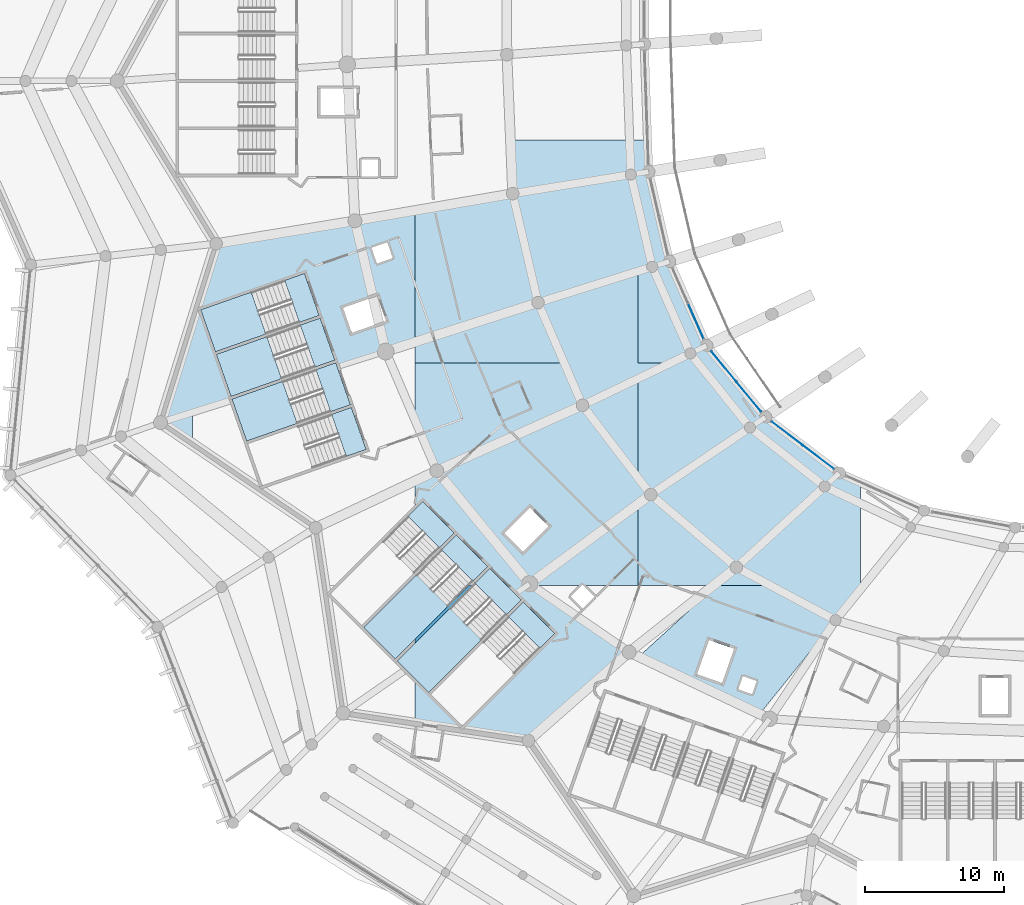
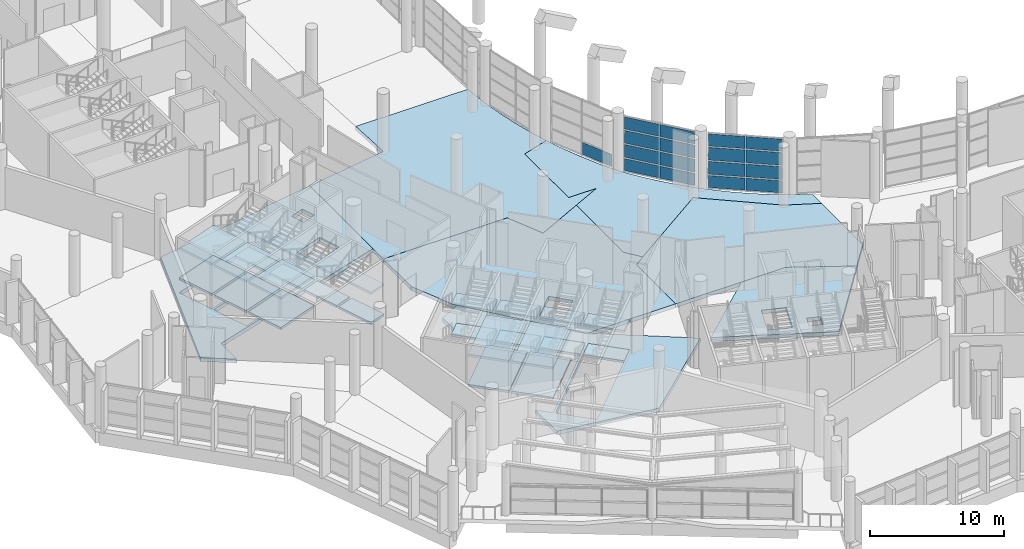
# One storey, part 116 of 271: 34 slabs, 17 plates, 11 elements without a shape of their own.
"""IFC4 building model written with IfcOpenShell, lengths in metres."""

from ifc_helpers import new_model, si_unit, direction, frame, origin, origin_2d, place, context, subcontext, project, spatial, polyline, rectangle, outline, extrude, material, layer, layer_set, type_object, element, aggregate, save


model = new_model("IFC4")

# Units and contexts
model_context = context("Model", 3, precision=1e-05, world=origin(), true_north=direction((0.0, 1.0)))
body_context = subcontext(model_context, "Body", "Model", "MODEL_VIEW")
ifc_project = project(units=[si_unit("LENGTHUNIT", "METRE"), si_unit("AREAUNIT", "SQUARE_METRE"), si_unit("VOLUMEUNIT", "CUBIC_METRE"), si_unit("PLANEANGLEUNIT", "RADIAN"), si_unit("MASSUNIT", "GRAM", prefix="KILO")], contexts=[model_context])

# Site, building, storey
site_placement = place(None, origin())
site = spatial("IfcSite", under=ifc_project, at=site_placement, CompositionType="ELEMENT")
building_placement = place(site_placement, origin())
building = spatial("IfcBuilding", under=site, at=building_placement, Name="Meseta Stadium", CompositionType="ELEMENT")
storey_placement = place(building_placement, frame((0.0, 0.0, 6.5)))
storey = spatial("IfcBuildingStorey", under=building, at=storey_placement, Name="L01", CompositionType="ELEMENT", Elevation=6.5)

# Curtain wall, plate
ifc_material_1 = material(Name="Aluminium", Category="aluminium")
ifc_layer_1 = layer(ifc_material_1, 0.199951171875)
ifc_layer_set_1 = layer_set([ifc_layer_1], Name="Club glazing curtain wall")
curtain_wall_type = type_object("IfcCurtainWallType", Name="Club glazing curtain wall", PredefinedType="NOTDEFINED", material=ifc_layer_set_1)
curtain_wall_1_placement = place(storey_placement, origin())
curtain_wall_1 = element("IfcCurtainWall", 1, at=curtain_wall_1_placement, inside=storey, type_object=curtain_wall_type, Name="Club glazing bay 38", PredefinedType="NOTDEFINED")
ifc_material_2 = material(Name="Glass", Category="glass")
ifc_layer_2 = layer(ifc_material_2, 0.028076171875)
ifc_layer_set_2 = layer_set([ifc_layer_2], Name="CW glass panel 28")
plate_type = type_object("IfcPlateType", Name="CW glass panel 28", PredefinedType="CURTAIN_PANEL", material=ifc_layer_set_2)
plate_1_placement = place(storey_placement, frame((-59.820068359375, -61.021484375, 0.1201171875), z_axis=(0.0, 0.0, 1.0), x_axis=(0.404230353712, -0.914657215102, 0.0)))
plate_1 = element("IfcPlate", 2, at=plate_1_placement, type_object=plate_type, Name="CWC panel 2.1", PredefinedType="CURTAIN_PANEL", context=body_context, shape_type="SweptSolid", body=[
    extrude(rectangle(XDim=2.737060546875, YDim=0.028076171875, at=origin_2d()), origin(), (0.0, 0.0, 1.0), 1.107421875),
])
aggregate(curtain_wall_1, [plate_1])

# Curtain wall, plates
curtain_wall_2_placement = place(storey_placement, origin())
curtain_wall_2 = element("IfcCurtainWall", 3, at=curtain_wall_2_placement, inside=storey, type_object=curtain_wall_type, Name="Club glazing bay 39", PredefinedType="NOTDEFINED")
plate_2_placement = place(storey_placement, frame((-57.818359375, -64.260498046875, 0.1201171875), z_axis=(0.0, 0.0, 1.0), x_axis=(0.63574102663, -0.771902420685, 0.0)))
plate_2 = element("IfcPlate", 4, at=plate_2_placement, type_object=plate_type, Name="CWC panel 1.1", PredefinedType="CURTAIN_PANEL", context=body_context, shape_type="SweptSolid", body=[
    extrude(rectangle(XDim=2.7646484375, YDim=0.028076171875, at=origin_2d()), origin(), (0.0, 0.0, 1.0), 1.107421875),
])
plate_3_placement = place(storey_placement, frame((-57.818359375, -64.260498046875, 1.347412109375), z_axis=(0.0, 0.0, 1.0), x_axis=(0.63574102663, -0.771902420685, 0.0)))
plate_3 = element("IfcPlate", 5, at=plate_3_placement, type_object=plate_type, Name="CWC panel 1.2", PredefinedType="CURTAIN_PANEL", context=body_context, shape_type="SweptSolid", body=[
    extrude(rectangle(XDim=2.7646484375, YDim=0.028076171875, at=origin_2d()), origin(), (0.0, 0.0, 1.0), 1.16748046875),
])
plate_4_placement = place(storey_placement, frame((-57.818359375, -64.260498046875, 2.635009765625), z_axis=(0.0, 0.0, 1.0), x_axis=(0.63574102663, -0.771902420685, 0.0)))
plate_4 = element("IfcPlate", 6, at=plate_4_placement, type_object=plate_type, Name="CWC panel 1.3", PredefinedType="CURTAIN_PANEL", context=body_context, shape_type="SweptSolid", body=[
    extrude(rectangle(XDim=2.7646484375, YDim=0.028076171875, at=origin_2d()), origin(), (0.0, 0.0, 1.0), 1.16748046875),
])
plate_5_placement = place(storey_placement, frame((-57.818359375, -64.260498046875, 3.922607421875), z_axis=(0.0, 0.0, 1.0), x_axis=(0.63574102663, -0.771902420685, 0.0)))
plate_5 = element("IfcPlate", 7, at=plate_5_placement, type_object=plate_type, Name="CWC panel 1.4", PredefinedType="CURTAIN_PANEL", context=body_context, shape_type="SweptSolid", body=[
    extrude(rectangle(XDim=2.7646484375, YDim=0.028076171875, at=origin_2d()), origin(), (0.0, 0.0, 1.0), 1.107421875),
])
plate_6_placement = place(storey_placement, frame((-56.022705078125, -66.44091796875, 0.1201171875), z_axis=(0.0, 0.0, 1.0), x_axis=(0.63574102663, -0.771902420685, 0.0)))
plate_6 = element("IfcPlate", 8, at=plate_6_placement, type_object=plate_type, Name="CWC panel 2.1", PredefinedType="CURTAIN_PANEL", context=body_context, shape_type="SweptSolid", body=[
    extrude(rectangle(XDim=2.7646484375, YDim=0.028076171875, at=origin_2d()), origin(), (0.0, 0.0, 1.0), 1.107421875),
])
plate_7_placement = place(storey_placement, frame((-56.022705078125, -66.44091796875, 1.347412109375), z_axis=(0.0, 0.0, 1.0), x_axis=(0.63574102663, -0.771902420685, 0.0)))
plate_7 = element("IfcPlate", 9, at=plate_7_placement, type_object=plate_type, Name="CWC panel 2.2", PredefinedType="CURTAIN_PANEL", context=body_context, shape_type="SweptSolid", body=[
    extrude(rectangle(XDim=2.7646484375, YDim=0.028076171875, at=origin_2d()), origin(), (0.0, 0.0, 1.0), 1.16748046875),
])
plate_8_placement = place(storey_placement, frame((-56.022705078125, -66.44091796875, 2.635009765625), z_axis=(0.0, 0.0, 1.0), x_axis=(0.63574102663, -0.771902420685, 0.0)))
plate_8 = element("IfcPlate", 10, at=plate_8_placement, type_object=plate_type, Name="CWC panel 2.3", PredefinedType="CURTAIN_PANEL", context=body_context, shape_type="SweptSolid", body=[
    extrude(rectangle(XDim=2.7646484375, YDim=0.028076171875, at=origin_2d()), origin(), (0.0, 0.0, 1.0), 1.16748046875),
])
plate_9_placement = place(storey_placement, frame((-56.022705078125, -66.44091796875, 3.922607421875), z_axis=(0.0, 0.0, 1.0), x_axis=(0.63574102663, -0.771902420685, 0.0)))
plate_9 = element("IfcPlate", 11, at=plate_9_placement, type_object=plate_type, Name="CWC panel 2.4", PredefinedType="CURTAIN_PANEL", context=body_context, shape_type="SweptSolid", body=[
    extrude(rectangle(XDim=2.7646484375, YDim=0.028076171875, at=origin_2d()), origin(), (0.0, 0.0, 1.0), 1.107421875),
])
aggregate(curtain_wall_2, [plate_2, plate_3, plate_4, plate_5, plate_6, plate_7, plate_8, plate_9])

curtain_wall_3_placement = place(storey_placement, origin())
curtain_wall_3 = element("IfcCurtainWall", 12, at=curtain_wall_3_placement, inside=storey, type_object=curtain_wall_type, Name="Club glazing bay 40", PredefinedType="NOTDEFINED")
plate_10_placement = place(storey_placement, frame((-53.26953125, -69.077880859375, 0.1201171875), z_axis=(0.0, 0.0, 1.0), x_axis=(0.796590021375, -0.604519923448, 0.0)))
plate_10 = element("IfcPlate", 13, at=plate_10_placement, type_object=plate_type, Name="CWC panel 1.1", PredefinedType="CURTAIN_PANEL", context=body_context, shape_type="SweptSolid", body=[
    extrude(rectangle(XDim=2.759765625, YDim=0.028076171875, at=origin_2d()), origin(), (0.0, 0.0, 1.0), 1.107421875),
])
plate_11_placement = place(storey_placement, frame((-53.26953125, -69.077880859375, 1.347412109375), z_axis=(0.0, 0.0, 1.0), x_axis=(0.796590021375, -0.604519923448, 0.0)))
plate_11 = element("IfcPlate", 14, at=plate_11_placement, type_object=plate_type, Name="CWC panel 1.2", PredefinedType="CURTAIN_PANEL", context=body_context, shape_type="SweptSolid", body=[
    extrude(rectangle(XDim=2.759765625, YDim=0.028076171875, at=origin_2d()), origin(), (0.0, 0.0, 1.0), 1.16748046875),
])
plate_12_placement = place(storey_placement, frame((-53.26953125, -69.077880859375, 2.635009765625), z_axis=(0.0, 0.0, 1.0), x_axis=(0.796590021375, -0.604519923448, 0.0)))
plate_12 = element("IfcPlate", 15, at=plate_12_placement, type_object=plate_type, Name="CWC panel 1.3", PredefinedType="CURTAIN_PANEL", context=body_context, shape_type="SweptSolid", body=[
    extrude(rectangle(XDim=2.759765625, YDim=0.028076171875, at=origin_2d()), origin(), (0.0, 0.0, 1.0), 1.16748046875),
])
plate_13_placement = place(storey_placement, frame((-53.26953125, -69.077880859375, 3.922607421875), z_axis=(0.0, 0.0, 1.0), x_axis=(0.796590021375, -0.604519923448, 0.0)))
plate_13 = element("IfcPlate", 16, at=plate_13_placement, type_object=plate_type, Name="CWC panel 1.4", PredefinedType="CURTAIN_PANEL", context=body_context, shape_type="SweptSolid", body=[
    extrude(rectangle(XDim=2.759765625, YDim=0.028076171875, at=origin_2d()), origin(), (0.0, 0.0, 1.0), 1.107421875),
])
plate_14_placement = place(storey_placement, frame((-51.0234375, -70.782470703125, 0.1201171875), z_axis=(0.0, 0.0, 1.0), x_axis=(0.796590021375, -0.604519923448, 0.0)))
plate_14 = element("IfcPlate", 17, at=plate_14_placement, type_object=plate_type, Name="CWC panel 2.1", PredefinedType="CURTAIN_PANEL", context=body_context, shape_type="SweptSolid", body=[
    extrude(rectangle(XDim=2.759765625, YDim=0.028076171875, at=origin_2d()), origin(), (0.0, 0.0, 1.0), 1.107421875),
])
plate_15_placement = place(storey_placement, frame((-51.0234375, -70.782470703125, 1.347412109375), z_axis=(0.0, 0.0, 1.0), x_axis=(0.796590021375, -0.604519923448, 0.0)))
plate_15 = element("IfcPlate", 18, at=plate_15_placement, type_object=plate_type, Name="CWC panel 2.2", PredefinedType="CURTAIN_PANEL", context=body_context, shape_type="SweptSolid", body=[
    extrude(rectangle(XDim=2.759765625, YDim=0.028076171875, at=origin_2d()), origin(), (0.0, 0.0, 1.0), 1.16748046875),
])
plate_16_placement = place(storey_placement, frame((-51.0234375, -70.782470703125, 2.635009765625), z_axis=(0.0, 0.0, 1.0), x_axis=(0.796590021375, -0.604519923448, 0.0)))
plate_16 = element("IfcPlate", 19, at=plate_16_placement, type_object=plate_type, Name="CWC panel 2.3", PredefinedType="CURTAIN_PANEL", context=body_context, shape_type="SweptSolid", body=[
    extrude(rectangle(XDim=2.759765625, YDim=0.028076171875, at=origin_2d()), origin(), (0.0, 0.0, 1.0), 1.16748046875),
])
plate_17_placement = place(storey_placement, frame((-51.0234375, -70.782470703125, 3.922607421875), z_axis=(0.0, 0.0, 1.0), x_axis=(0.796590021375, -0.604519923448, 0.0)))
plate_17 = element("IfcPlate", 20, at=plate_17_placement, type_object=plate_type, Name="CWC panel 2.4", PredefinedType="CURTAIN_PANEL", context=body_context, shape_type="SweptSolid", body=[
    extrude(rectangle(XDim=2.759765625, YDim=0.028076171875, at=origin_2d()), origin(), (0.0, 0.0, 1.0), 1.107421875),
])
aggregate(curtain_wall_3, [plate_10, plate_11, plate_12, plate_13, plate_14, plate_15, plate_16, plate_17])

# Slabs
ifc_material_3 = material(Name="Concrete C40/50", Category="concrete")
ifc_layer_3 = layer(ifc_material_3, 0.35009765625)
ifc_layer_set_3 = layer_set([ifc_layer_3], Name="Floor slab 350")
slab_type_1 = type_object("IfcSlabType", Name="Floor slab 350", PredefinedType="FLOOR", material=ifc_layer_set_3)
slab_1_placement = place(storey_placement, frame((0.0, 0.0, -0.35009765625)))
element("IfcSlab", 21, at=slab_1_placement, inside=storey, type_object=slab_type_1, Name="Floor slab L01 sector 35 panel 03", PredefinedType="FLOOR", context=body_context, shape_type="SweptSolid", body=[
    extrude(outline(polyline([(-85.63037109375, -64.211181640625), (-80.0, -62.44580078125), (-80.0, -52.975830078125), (-84.33154296875, -53.67333984375), (-84.3251953125, -53.801513671875), (-94.29443359375, -55.44140625), (-98.291015625, -68.297607421875), (-96.0, -69.85205078125), (-96.0, -67.46240234375), (-92.1708984375, -66.26171875), (-85.70458984375, -63.9990234375), (-85.63037109375, -64.211181640625)]), holes=[polyline([(-82.723876953125, -59.195068359375), (-82.09619140625, -60.988525390625), (-84.55029296875, -61.84716796875), (-85.177978515625, -60.0537109375), (-82.723876953125, -59.195068359375)]), polyline([(-94.2841796875, -63.399169921875), (-86.827392578125, -60.789794921875), (-85.7705078125, -63.810302734375), (-93.227294921875, -66.419677734375), (-94.2841796875, -63.399169921875)]), polyline([(-95.406982421875, -60.18994140625), (-87.950439453125, -57.580810546875), (-86.8935546875, -60.601318359375), (-94.35009765625, -63.21044921875), (-95.406982421875, -60.18994140625)]), polyline([(-82.74267578125, -56.870849609375), (-83.138916015625, -55.73828125), (-82.006103515625, -55.341796875), (-81.60986328125, -56.474609375), (-82.74267578125, -56.870849609375)])]), origin(), (0.0, 0.0, 1.0), 0.35009765625),
])
slab_2_placement = place(storey_placement, frame((0.0, 0.0, -0.35009765625)))
element("IfcSlab", 22, at=slab_2_placement, inside=storey, type_object=slab_type_1, Name="Floor slab L01 sector 35 panel 08", PredefinedType="FLOOR", context=body_context, shape_type="SweptSolid", body=[
    extrude(outline(polyline([(-80.0, -83.858642578125), (-80.0, -84.141357421875), (-75.858642578125, -80.0), (-76.141357421875, -80.0), (-80.0, -83.858642578125)])), origin(), (0.0, 0.0, 1.0), 0.35009765625),
])
slab_3_placement = place(storey_placement, frame((0.0, 0.0, -0.35009765625)))
element("IfcSlab", 23, at=slab_3_placement, inside=storey, type_object=slab_type_1, Name="Floor slab L01 sector 35 panel 09", PredefinedType="FLOOR", context=body_context, shape_type="SweptSolid", body=[
    extrude(outline(polyline([(-74.779296875, -78.6376953125), (-76.141357421875, -80.0), (-75.858642578125, -80.0), (-74.6376953125, -78.779296875), (-72.375, -81.0419921875), (-79.02197265625, -87.688720703125), (-80.0, -86.710693359375), (-80.0, -89.94189453125), (-71.856689453125, -91.15087890625), (-64.6220703125, -84.79248046875), (-71.775390625, -79.888916015625), (-78.246337890625, -71.998779296875), (-80.0, -72.84228515625), (-80.0, -74.524658203125), (-79.4462890625, -73.970947265625), (-77.183349609375, -76.233642578125), (-80.0, -79.05029296875), (-80.0, -79.3330078125), (-77.0419921875, -76.375), (-74.779296875, -78.6376953125)]), holes=[polyline([(-78.880615234375, -87.830078125), (-72.233642578125, -81.183349609375), (-69.970947265625, -83.4462890625), (-76.61767578125, -90.093017578125), (-78.880615234375, -87.830078125)])]), origin(), (0.0, 0.0, 1.0), 0.35009765625),
])
slab_4_placement = place(storey_placement, frame((0.0, 0.0, -0.35009765625)))
element("IfcSlab", 24, at=slab_4_placement, inside=storey, type_object=slab_type_1, Name="Floor slab L01 sector 35 panel 10", PredefinedType="FLOOR", context=body_context, shape_type="SweptSolid", body=[
    extrude(outline(polyline([(-64.0, -65.1474609375), (-67.972412109375, -67.057861328125), (-69.297119140625, -64.0), (-80.0, -64.0), (-80.0, -68.13232421875), (-78.4453125, -71.756103515625), (-71.775390625, -79.888916015625), (-71.61328125, -80.0), (-68.009765625, -80.0), (-67.963134765625, -79.953369140625), (-67.91650390625, -80.0), (-64.0, -80.0), (-64.0, -74.15673828125), (-63.068115234375, -73.469970703125), (-64.0, -72.251708984375), (-64.0, -65.1474609375)]), holes=[polyline([(-73.584716796875, -76.2412109375), (-71.74609375, -74.402587890625), (-70.402587890625, -75.74609375), (-72.2412109375, -77.584716796875), (-73.584716796875, -76.2412109375)])]), origin(), (0.0, 0.0, 1.0), 0.35009765625),
])
slab_5_placement = place(storey_placement, frame((0.0, 0.0, -0.35009765625)))
element("IfcSlab", 25, at=slab_5_placement, inside=storey, type_object=slab_type_1, Name="Floor slab L01 sector 35 panel 11", PredefinedType="FLOOR", context=body_context, shape_type="SweptSolid", body=[
    extrude(outline(polyline([(-62.61962890625, -53.52880859375), (-62.8525390625, -52.449951171875), (-63.052001953125, -51.3642578125), (-63.21826171875, -50.27294921875), (-63.3505859375, -49.177001953125), (-63.448974609375, -48.077392578125), (-63.45361328125, -48.0), (-73.151123046875, -48.0), (-72.9921875, -51.84716796875), (-80.0, -52.975830078125), (-80.0, -64.0), (-69.297119140625, -64.0), (-67.972412109375, -67.057861328125), (-61.6142578125, -64.0), (-64.0, -64.0), (-64.0, -57.42919921875), (-61.72314453125, -56.715576171875), (-62.0546875, -55.66259765625), (-62.353515625, -54.60009765625), (-62.61962890625, -53.52880859375)])), origin(), (0.0, 0.0, 1.0), 0.35009765625),
])
slab_6_placement = place(storey_placement, frame((0.0, 0.0, -0.35009765625)))
element("IfcSlab", 26, at=slab_6_placement, inside=storey, type_object=slab_type_1, Name="Floor slab L01 sector 35 panel 16", PredefinedType="FLOOR", context=body_context, shape_type="SweptSolid", body=[
    extrude(outline(polyline([(-55.60595703125, -67.1162109375), (-56.361083984375, -66.30078125), (-57.083984375, -65.456787109375), (-57.773681640625, -64.585693359375), (-58.428955078125, -63.688232421875), (-59.049072265625, -62.766357421875), (-59.587890625, -61.80078125), (-60.077392578125, -60.810791015625), (-60.535888671875, -59.80615234375), (-60.96337890625, -58.7880859375), (-61.359375, -57.7578125), (-61.72314453125, -56.715576171875), (-64.0, -57.42919921875), (-64.0, -64.0), (-61.614013671875, -64.0), (-64.0, -65.1474609375), (-64.0, -72.251708984375), (-63.068115234375, -73.469970703125), (-55.940185546875, -68.658203125), (-50.571533203125, -72.888916015625), (-48.0, -74.1025390625), (-48.0, -72.753173828125), (-48.5498046875, -72.470703125), (-49.518310546875, -71.924560546875), (-50.46484375, -71.34130859375), (-51.387939453125, -70.721923828125), (-52.286376953125, -70.0673828125), (-53.15869140625, -69.37841796875), (-54.00341796875, -68.656005859375), (-54.819580078125, -67.901611328125), (-55.60595703125, -67.1162109375)])), origin(), (0.0, 0.0, 1.0), 0.35009765625),
])
slab_7_placement = place(storey_placement, frame((0.0, 0.0, -0.35009765625)))
element("IfcSlab", 27, at=slab_7_placement, inside=storey, type_object=slab_type_1, Name="Floor slab L01 sector 35 panel 17", PredefinedType="FLOOR", context=body_context, shape_type="SweptSolid", body=[
    extrude(outline(polyline([(-63.932373046875, -85.119384765625), (-55.242919921875, -89.238037109375), (-49.800048828125, -82.493896484375), (-54.4716796875, -80.0), (-58.33984375, -80.0), (-63.932373046875, -85.119384765625)]), holes=[polyline([(-58.876953125, -83.924072265625), (-57.08349609375, -84.551513671875), (-57.9423828125, -87.005615234375), (-59.735595703125, -86.378173828125), (-58.876953125, -83.924072265625)]), polyline([(-56.44873046875, -86.521728515625), (-55.45751953125, -86.86865234375), (-55.787841796875, -87.8125), (-56.779052734375, -87.4658203125), (-56.44873046875, -86.521728515625)])]), origin(), (0.0, 0.0, 1.0), 0.35009765625),
])
slab_8_placement = place(storey_placement, frame((0.0, 0.0, -0.35009765625)))
element("IfcSlab", 28, at=slab_8_placement, inside=storey, type_object=slab_type_1, Name="Floor slab L01 sector 35 panel 18", PredefinedType="FLOOR", context=body_context, shape_type="SweptSolid", body=[
    extrude(outline(polyline([(-49.800048828125, -82.493896484375), (-47.787353515625, -80.0), (-48.0, -80.0), (-48.0, -74.1025390625), (-50.571533203125, -72.888916015625), (-55.940185546875, -68.658203125), (-63.068115234375, -73.469970703125), (-64.0, -74.15673828125), (-64.0, -80.0), (-54.4716796875, -80.0), (-49.800048828125, -82.493896484375)])), origin(), (0.0, 0.0, 1.0), 0.35009765625),
])

# Stair, slabs
ifc_material_4 = material(Name="Concrete C40/50", Category="concrete")
stair_type = type_object("IfcStairType", Name="Exit stair 4 flights 153 mm risers", PredefinedType="HALF_TURN_STAIR", material=ifc_material_4)
stair_1_placement = place(storey_placement, origin())
stair_1 = element("IfcStair", 29, at=stair_1_placement, inside=storey, type_object=stair_type, Name="ST77 L01", PredefinedType="HALF_TURN_STAIR")
ifc_material_5 = material(Name="Concrete C40/50", Category="concrete")
ifc_layer_4 = layer(ifc_material_5, 0.199951171875)
ifc_layer_set_4 = layer_set([ifc_layer_4], Name="Stair landing 200")
slab_type_2 = type_object("IfcSlabType", Name="Stair landing 200", PredefinedType="LANDING", material=ifc_layer_set_4)
slab_9_placement = place(storey_placement, frame((0.0, 0.0, 1.175048828125)))
slab_9 = element("IfcSlab", 30, at=slab_9_placement, type_object=slab_type_2, Name="ST77 L01 landing 1", PredefinedType="LANDING", context=body_context, shape_type="SweptSolid", body=[
    extrude(outline(polyline([(-91.773193359375, -58.91845703125), (-95.406982421875, -60.18994140625), (-94.35009765625, -63.21044921875), (-90.71630859375, -61.938720703125), (-91.773193359375, -58.91845703125)])), origin(), (0.0, 0.0, 1.0), 0.199951171875),
])
slab_10_placement = place(storey_placement, frame((0.0, 0.0, 2.550048828125)))
slab_10 = element("IfcSlab", 31, at=slab_10_placement, type_object=slab_type_2, Name="ST77 L01 landing 2", PredefinedType="LANDING", context=body_context, shape_type="SweptSolid", body=[
    extrude(outline(polyline([(-87.950439453125, -57.580810546875), (-89.375732421875, -58.079345703125), (-88.31884765625, -61.099853515625), (-86.8935546875, -60.60107421875), (-87.950439453125, -57.580810546875)])), origin(), (0.0, 0.0, 1.0), 0.199951171875),
])
slab_11_placement = place(storey_placement, frame((0.0, 0.0, 3.925048828125)))
slab_11 = element("IfcSlab", 32, at=slab_11_placement, type_object=slab_type_2, Name="ST77 L01 landing 3", PredefinedType="LANDING", context=body_context, shape_type="SweptSolid", body=[
    extrude(outline(polyline([(-91.773193359375, -58.91845703125), (-95.406982421875, -60.18994140625), (-94.35009765625, -63.21044921875), (-90.71630859375, -61.938720703125), (-91.773193359375, -58.91845703125)])), origin(), (0.0, 0.0, 1.0), 0.199951171875),
])
slab_12_placement = place(storey_placement, frame((0.0, 0.0, -0.199951171875)))
slab_12 = element("IfcSlab", 33, at=slab_12_placement, type_object=slab_type_2, Name="ST77 L01 landing 4", PredefinedType="LANDING", context=body_context, shape_type="SweptSolid", body=[
    extrude(outline(polyline([(-87.950439453125, -57.580810546875), (-89.375732421875, -58.079345703125), (-88.31884765625, -61.099853515625), (-86.8935546875, -60.60107421875), (-87.950439453125, -57.580810546875)])), origin(), (0.0, 0.0, 1.0), 0.199951171875),
])
aggregate(stair_1, [slab_9, slab_10, slab_11, slab_12])

stair_2_placement = place(storey_placement, origin())
stair_2 = element("IfcStair", 34, at=stair_2_placement, inside=storey, type_object=stair_type, Name="ST78 L01", PredefinedType="HALF_TURN_STAIR")
slab_13_placement = place(storey_placement, frame((0.0, 0.0, 1.175048828125)))
slab_13 = element("IfcSlab", 35, at=slab_13_placement, type_object=slab_type_2, Name="ST78 L01 landing 1", PredefinedType="LANDING", context=body_context, shape_type="SweptSolid", body=[
    extrude(outline(polyline([(-90.650146484375, -62.127685546875), (-94.2841796875, -63.399169921875), (-93.227294921875, -66.419677734375), (-89.59326171875, -65.14794921875), (-90.650146484375, -62.127685546875)])), origin(), (0.0, 0.0, 1.0), 0.199951171875),
])
slab_14_placement = place(storey_placement, frame((0.0, 0.0, 2.550048828125)))
slab_14 = element("IfcSlab", 36, at=slab_14_placement, type_object=slab_type_2, Name="ST78 L01 landing 2", PredefinedType="LANDING", context=body_context, shape_type="SweptSolid", body=[
    extrude(outline(polyline([(-86.827392578125, -60.7900390625), (-88.252685546875, -61.28857421875), (-87.19580078125, -64.30908203125), (-85.7705078125, -63.810302734375), (-86.827392578125, -60.7900390625)])), origin(), (0.0, 0.0, 1.0), 0.199951171875),
])
slab_15_placement = place(storey_placement, frame((0.0, 0.0, 3.925048828125)))
slab_15 = element("IfcSlab", 37, at=slab_15_placement, type_object=slab_type_2, Name="ST78 L01 landing 3", PredefinedType="LANDING", context=body_context, shape_type="SweptSolid", body=[
    extrude(outline(polyline([(-90.650146484375, -62.127685546875), (-94.2841796875, -63.399169921875), (-93.227294921875, -66.419677734375), (-89.59326171875, -65.14794921875), (-90.650146484375, -62.127685546875)])), origin(), (0.0, 0.0, 1.0), 0.199951171875),
])
slab_16_placement = place(storey_placement, frame((0.0, 0.0, -0.199951171875)))
slab_16 = element("IfcSlab", 38, at=slab_16_placement, type_object=slab_type_2, Name="ST78 L01 landing 4", PredefinedType="LANDING", context=body_context, shape_type="SweptSolid", body=[
    extrude(outline(polyline([(-86.827392578125, -60.7900390625), (-88.252685546875, -61.28857421875), (-87.19580078125, -64.30908203125), (-85.7705078125, -63.810302734375), (-86.827392578125, -60.7900390625)])), origin(), (0.0, 0.0, 1.0), 0.199951171875),
])
aggregate(stair_2, [slab_13, slab_14, slab_15, slab_16])

stair_3_placement = place(storey_placement, origin())
stair_3 = element("IfcStair", 39, at=stair_3_placement, inside=storey, type_object=stair_type, Name="ST79 L01", PredefinedType="HALF_TURN_STAIR")
slab_17_placement = place(storey_placement, frame((0.0, 0.0, 1.175048828125)))
slab_17 = element("IfcSlab", 40, at=slab_17_placement, type_object=slab_type_2, Name="ST79 L01 landing 1", PredefinedType="LANDING", context=body_context, shape_type="SweptSolid", body=[
    extrude(outline(polyline([(-89.527099609375, -65.336669921875), (-93.1611328125, -66.6083984375), (-92.104248046875, -69.628662109375), (-88.47021484375, -68.357177734375), (-89.527099609375, -65.336669921875)])), origin(), (0.0, 0.0, 1.0), 0.199951171875),
])
slab_18_placement = place(storey_placement, frame((0.0, 0.0, 2.550048828125)))
slab_18 = element("IfcSlab", 41, at=slab_18_placement, type_object=slab_type_2, Name="ST79 L01 landing 2", PredefinedType="LANDING", context=body_context, shape_type="SweptSolid", body=[
    extrude(outline(polyline([(-85.704345703125, -63.9990234375), (-87.129638671875, -64.497802734375), (-86.07275390625, -67.518310546875), (-84.6474609375, -67.01953125), (-85.704345703125, -63.9990234375)])), origin(), (0.0, 0.0, 1.0), 0.199951171875),
])
slab_19_placement = place(storey_placement, frame((0.0, 0.0, 3.925048828125)))
slab_19 = element("IfcSlab", 42, at=slab_19_placement, type_object=slab_type_2, Name="ST79 L01 landing 3", PredefinedType="LANDING", context=body_context, shape_type="SweptSolid", body=[
    extrude(outline(polyline([(-89.527099609375, -65.336669921875), (-93.1611328125, -66.6083984375), (-92.104248046875, -69.628662109375), (-88.47021484375, -68.357177734375), (-89.527099609375, -65.336669921875)])), origin(), (0.0, 0.0, 1.0), 0.199951171875),
])
slab_20_placement = place(storey_placement, frame((0.0, 0.0, -0.199951171875)))
slab_20 = element("IfcSlab", 43, at=slab_20_placement, type_object=slab_type_2, Name="ST79 L01 landing 4", PredefinedType="LANDING", context=body_context, shape_type="SweptSolid", body=[
    extrude(outline(polyline([(-85.704345703125, -63.9990234375), (-87.129638671875, -64.497802734375), (-86.07275390625, -67.518310546875), (-84.6474609375, -67.01953125), (-85.704345703125, -63.9990234375)])), origin(), (0.0, 0.0, 1.0), 0.199951171875),
])
aggregate(stair_3, [slab_17, slab_18, slab_19, slab_20])

stair_4_placement = place(storey_placement, origin())
stair_4 = element("IfcStair", 44, at=stair_4_placement, inside=storey, type_object=stair_type, Name="ST80 L01", PredefinedType="HALF_TURN_STAIR")
slab_21_placement = place(storey_placement, frame((0.0, 0.0, 2.550048828125)))
slab_21 = element("IfcSlab", 45, at=slab_21_placement, type_object=slab_type_2, Name="ST80 L01 landing 2", PredefinedType="LANDING", context=body_context, shape_type="SweptSolid", body=[
    extrude(outline(polyline([(-84.58154296875, -67.208251953125), (-86.0068359375, -67.70703125), (-84.949951171875, -70.7275390625), (-83.524658203125, -70.228759765625), (-84.58154296875, -67.208251953125)])), origin(), (0.0, 0.0, 1.0), 0.199951171875),
])
slab_22_placement = place(storey_placement, frame((0.0, 0.0, -0.199951171875)))
slab_22 = element("IfcSlab", 46, at=slab_22_placement, type_object=slab_type_2, Name="ST80 L01 landing 4", PredefinedType="LANDING", context=body_context, shape_type="SweptSolid", body=[
    extrude(outline(polyline([(-84.58154296875, -67.208251953125), (-86.0068359375, -67.70703125), (-84.949951171875, -70.7275390625), (-83.524658203125, -70.228759765625), (-84.58154296875, -67.208251953125)])), origin(), (0.0, 0.0, 1.0), 0.199951171875),
])
aggregate(stair_4, [slab_21, slab_22])

stair_5_placement = place(storey_placement, origin())
stair_5 = element("IfcStair", 47, at=stair_5_placement, inside=storey, type_object=stair_type, Name="ST81 L01", PredefinedType="HALF_TURN_STAIR")
slab_23_placement = place(storey_placement, frame((0.0, 0.0, 2.550048828125)))
slab_23 = element("IfcSlab", 48, at=slab_23_placement, type_object=slab_type_2, Name="ST81 L01 landing 2", PredefinedType="LANDING", context=body_context, shape_type="SweptSolid", body=[
    extrude(outline(polyline([(-79.446044921875, -73.970947265625), (-80.513916015625, -75.03857421875), (-78.251220703125, -77.301513671875), (-77.183349609375, -76.233642578125), (-79.446044921875, -73.970947265625)])), origin(), (0.0, 0.0, 1.0), 0.199951171875),
])
slab_24_placement = place(storey_placement, frame((0.0, 0.0, -0.199951171875)))
slab_24 = element("IfcSlab", 49, at=slab_24_placement, type_object=slab_type_2, Name="ST81 L01 landing 4", PredefinedType="LANDING", context=body_context, shape_type="SweptSolid", body=[
    extrude(outline(polyline([(-79.446044921875, -73.970947265625), (-80.513916015625, -75.03857421875), (-78.251220703125, -77.301513671875), (-77.183349609375, -76.233642578125), (-79.446044921875, -73.970947265625)])), origin(), (0.0, 0.0, 1.0), 0.199951171875),
])
aggregate(stair_5, [slab_23, slab_24])

stair_6_placement = place(storey_placement, origin())
stair_6 = element("IfcStair", 50, at=stair_6_placement, inside=storey, type_object=stair_type, Name="ST82 L01", PredefinedType="HALF_TURN_STAIR")
slab_25_placement = place(storey_placement, frame((0.0, 0.0, 1.175048828125)))
slab_25 = element("IfcSlab", 51, at=slab_25_placement, type_object=slab_type_2, Name="ST82 L01 landing 1", PredefinedType="LANDING", context=body_context, shape_type="SweptSolid", body=[
    extrude(outline(polyline([(-79.90576171875, -79.23876953125), (-83.688720703125, -83.02197265625), (-81.426025390625, -85.28466796875), (-77.64306640625, -81.501708984375), (-79.90576171875, -79.23876953125)])), origin(), (0.0, 0.0, 1.0), 0.199951171875),
])
slab_26_placement = place(storey_placement, frame((0.0, 0.0, 2.550048828125)))
slab_26 = element("IfcSlab", 52, at=slab_26_placement, type_object=slab_type_2, Name="ST82 L01 landing 2", PredefinedType="LANDING", context=body_context, shape_type="SweptSolid", body=[
    extrude(outline(polyline([(-77.0419921875, -76.375), (-78.109619140625, -77.44287109375), (-75.846923828125, -79.70556640625), (-74.779296875, -78.637939453125), (-77.0419921875, -76.375)])), origin(), (0.0, 0.0, 1.0), 0.199951171875),
])
slab_27_placement = place(storey_placement, frame((0.0, 0.0, 3.925048828125)))
slab_27 = element("IfcSlab", 53, at=slab_27_placement, type_object=slab_type_2, Name="ST82 L01 landing 3", PredefinedType="LANDING", context=body_context, shape_type="SweptSolid", body=[
    extrude(outline(polyline([(-79.90576171875, -79.23876953125), (-83.688720703125, -83.02197265625), (-81.426025390625, -85.28466796875), (-77.64306640625, -81.501708984375), (-79.90576171875, -79.23876953125)])), origin(), (0.0, 0.0, 1.0), 0.199951171875),
])
slab_28_placement = place(storey_placement, frame((0.0, 0.0, -0.199951171875)))
slab_28 = element("IfcSlab", 54, at=slab_28_placement, type_object=slab_type_2, Name="ST82 L01 landing 4", PredefinedType="LANDING", context=body_context, shape_type="SweptSolid", body=[
    extrude(outline(polyline([(-77.0419921875, -76.375), (-78.109619140625, -77.44287109375), (-75.846923828125, -79.70556640625), (-74.779296875, -78.637939453125), (-77.0419921875, -76.375)])), origin(), (0.0, 0.0, 1.0), 0.199951171875),
])
aggregate(stair_6, [slab_25, slab_26, slab_27, slab_28])

stair_7_placement = place(storey_placement, origin())
stair_7 = element("IfcStair", 55, at=stair_7_placement, inside=storey, type_object=stair_type, Name="ST83 L01", PredefinedType="HALF_TURN_STAIR")
slab_29_placement = place(storey_placement, frame((0.0, 0.0, 1.175048828125)))
slab_29 = element("IfcSlab", 56, at=slab_29_placement, type_object=slab_type_2, Name="ST83 L01 landing 1", PredefinedType="LANDING", context=body_context, shape_type="SweptSolid", body=[
    extrude(outline(polyline([(-77.501708984375, -81.64306640625), (-81.28466796875, -85.426025390625), (-79.02197265625, -87.688720703125), (-75.23876953125, -83.90576171875), (-77.501708984375, -81.64306640625)])), origin(), (0.0, 0.0, 1.0), 0.199951171875),
])
slab_30_placement = place(storey_placement, frame((0.0, 0.0, 2.550048828125)))
slab_30 = element("IfcSlab", 57, at=slab_30_placement, type_object=slab_type_2, Name="ST83 L01 landing 2", PredefinedType="LANDING", context=body_context, shape_type="SweptSolid", body=[
    extrude(outline(polyline([(-74.637939453125, -78.779296875), (-75.70556640625, -79.846923828125), (-73.44287109375, -82.109619140625), (-72.375, -81.0419921875), (-74.637939453125, -78.779296875)])), origin(), (0.0, 0.0, 1.0), 0.199951171875),
])
slab_31_placement = place(storey_placement, frame((0.0, 0.0, 3.925048828125)))
slab_31 = element("IfcSlab", 58, at=slab_31_placement, type_object=slab_type_2, Name="ST83 L01 landing 3", PredefinedType="LANDING", context=body_context, shape_type="SweptSolid", body=[
    extrude(outline(polyline([(-77.501708984375, -81.64306640625), (-81.28466796875, -85.426025390625), (-79.02197265625, -87.688720703125), (-75.23876953125, -83.90576171875), (-77.501708984375, -81.64306640625)])), origin(), (0.0, 0.0, 1.0), 0.199951171875),
])
slab_32_placement = place(storey_placement, frame((0.0, 0.0, -0.199951171875)))
slab_32 = element("IfcSlab", 59, at=slab_32_placement, type_object=slab_type_2, Name="ST83 L01 landing 4", PredefinedType="LANDING", context=body_context, shape_type="SweptSolid", body=[
    extrude(outline(polyline([(-74.637939453125, -78.779296875), (-75.70556640625, -79.846923828125), (-73.44287109375, -82.109619140625), (-72.375, -81.0419921875), (-74.637939453125, -78.779296875)])), origin(), (0.0, 0.0, 1.0), 0.199951171875),
])
aggregate(stair_7, [slab_29, slab_30, slab_31, slab_32])

stair_8_placement = place(storey_placement, origin())
stair_8 = element("IfcStair", 60, at=stair_8_placement, inside=storey, type_object=stair_type, Name="ST84 L01", PredefinedType="HALF_TURN_STAIR")
slab_33_placement = place(storey_placement, frame((0.0, 0.0, 2.550048828125)))
slab_33 = element("IfcSlab", 61, at=slab_33_placement, type_object=slab_type_2, Name="ST84 L01 landing 2", PredefinedType="LANDING", context=body_context, shape_type="SweptSolid", body=[
    extrude(outline(polyline([(-72.233642578125, -81.183349609375), (-73.301513671875, -82.251220703125), (-71.03857421875, -84.513916015625), (-69.970947265625, -83.446044921875), (-72.233642578125, -81.183349609375)])), origin(), (0.0, 0.0, 1.0), 0.199951171875),
])
slab_34_placement = place(storey_placement, frame((0.0, 0.0, -0.199951171875)))
slab_34 = element("IfcSlab", 62, at=slab_34_placement, type_object=slab_type_2, Name="ST84 L01 landing 4", PredefinedType="LANDING", context=body_context, shape_type="SweptSolid", body=[
    extrude(outline(polyline([(-72.233642578125, -81.183349609375), (-73.301513671875, -82.251220703125), (-71.03857421875, -84.513916015625), (-69.970947265625, -83.446044921875), (-72.233642578125, -81.183349609375)])), origin(), (0.0, 0.0, 1.0), 0.199951171875),
])
aggregate(stair_8, [slab_33, slab_34])

save(model, "model.ifc")
